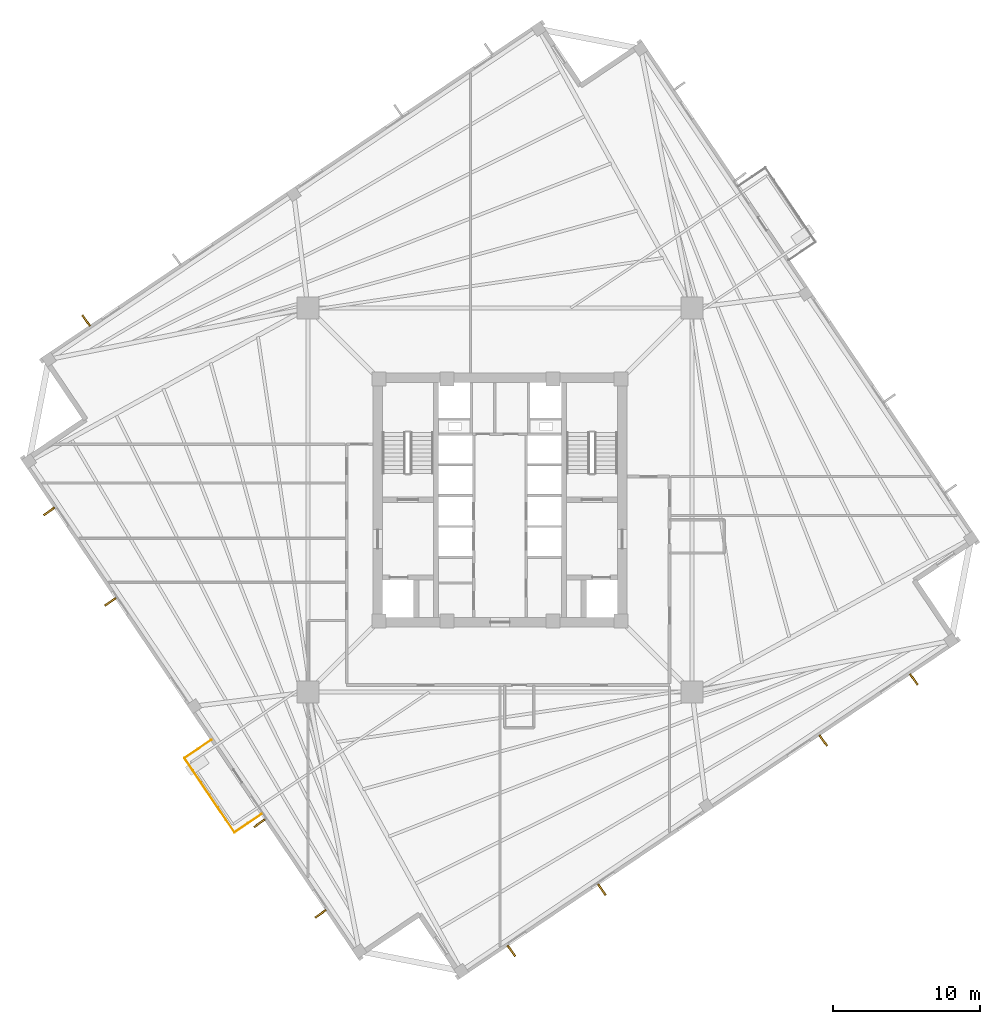
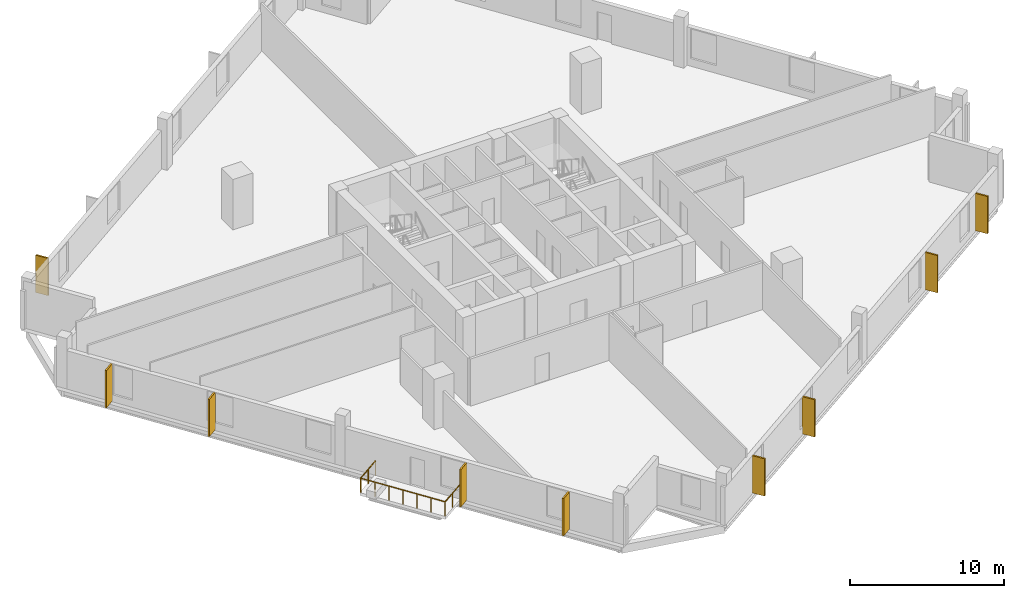
# One storey, part 7 of 9: 9 coverings, 3 railings.
"""IFC4 building model written with IfcOpenShell, lengths in metres."""

from ifc_helpers import new_model, si_unit, direction, frame, origin, origin_2d, place, context, subcontext, project, spatial, rectangle, circle, extrude, source, transform, mapped, material, layer, layer_set, type_object, element, save


model = new_model("IFC4")

# Units and contexts
model_context = context("Model", 3, precision=1e-05, world=origin(), true_north=direction((0.0, 1.0)))
body_context = subcontext(model_context, "Body", "Model", "MODEL_VIEW")
ifc_project = project(units=[si_unit("LENGTHUNIT", "METRE"), si_unit("AREAUNIT", "SQUARE_METRE"), si_unit("VOLUMEUNIT", "CUBIC_METRE"), si_unit("PLANEANGLEUNIT", "RADIAN"), si_unit("MASSUNIT", "GRAM", prefix="KILO"), si_unit("THERMODYNAMICTEMPERATUREUNIT", "KELVIN")], contexts=[model_context])

# Site, building, storey
site_placement = place(None, origin())
site = spatial("IfcSite", under=ifc_project, at=site_placement, CompositionType="ELEMENT")
building_placement = place(site_placement, origin())
building = spatial("IfcBuilding", under=site, at=building_placement, Name="Kosmvard Interchange Tower", CompositionType="ELEMENT")
storey_placement = place(building_placement, frame((0.0, 0.0, 180.39990234375)))
storey = spatial("IfcBuildingStorey", under=building, at=storey_placement, Name="L43", CompositionType="ELEMENT", Elevation=180.39990234375)

# Coverings
ifc_material_1 = material(Name="Architectural anodised aluminium", Category="aluminium")
ifc_layer = layer(ifc_material_1, 0.1201171875, Name="Architectural anodised aluminium")
ifc_layer_set = layer_set([ifc_layer], Name="Architectural anodised aluminium")
covering_type = type_object("IfcCoveringType", Name="Rotating Vertical Sun-Breaker Fin 900x120 Aluminium", PredefinedType="CLADDING", material=ifc_layer_set)
shared_shape_1 = source(origin(), body_context, "Body", "SweptSolid", [
    extrude(rectangle(XDim=0.89990234375, YDim=0.1201171875, at=origin_2d()), origin(), (0.0, 0.0, 1.0), 2.9599609375),
])
for number, where, z_axis, x_axis, name in (
    (1, (0.774169921875, -30.718994140625, 0.0400390625), (0.0, 0.0, 1.0), (0.575433555394, -0.817848533243, 0.0), "L43 Rotating Vertical Sun-Breaker Fin 01"),
    (2, (6.943115234375, -26.557861328125, 0.0400390625), (0.0, 0.0, 1.0), (0.575433555394, -0.817848533243, 0.0), "L43 Rotating Vertical Sun-Breaker Fin 02"),
    (3, (22.02294921875, -16.38623046875, 0.0400390625), (0.0, 0.0, 1.0), (0.575433555394, -0.817848533243, 0.0), "L43 Rotating Vertical Sun-Breaker Fin 03"),
    (4, (28.192138671875, -12.225341796875, 0.0400390625), (0.0, 0.0, 1.0), (0.575433555394, -0.817848533243, 0.0), "L43 Rotating Vertical Sun-Breaker Fin 04"),
    (5, (-28.192138671875, 12.225341796875, 0.0400390625), (0.0, 0.0, 1.0), (-0.575433555394, 0.817848533243, 0.0), "L43 Rotating Vertical Sun-Breaker Fin 12"),
    (6, (-30.718994140625, -0.774169921875, 0.0400390625), (0.0, 0.0, 1.0), (-0.817848533243, -0.575433555394, 0.0), "L43 Rotating Vertical Sun-Breaker Fin 13"),
    (7, (-26.557861328125, -6.943115234375, 0.0400390625), (0.0, 0.0, 1.0), (-0.817848533243, -0.575433555394, 0.0), "L43 Rotating Vertical Sun-Breaker Fin 14"),
    (8, (-16.38623046875, -22.02294921875, 0.0400390625), (0.0, 0.0, 1.0), (-0.817848533243, -0.575433555394, 0.0), "L43 Rotating Vertical Sun-Breaker Fin 15"),
    (9, (-12.225341796875, -28.192138671875, 0.0400390625), (0.0, 0.0, 1.0), (-0.817848533243, -0.575433555394, 0.0), "L43 Rotating Vertical Sun-Breaker Fin 16"),
):
    element("IfcCovering", number, at=place(storey_placement, frame(where, z_axis=z_axis, x_axis=x_axis)), inside=storey, type_object=covering_type, Name=name, PredefinedType="CLADDING", context=body_context, shape_type="MappedRepresentation", body=[
        mapped(shared_shape_1, transform((0.0, 0.0, 0.0), scale=1.0)),
    ])

# Railings
ifc_material_2 = material(Name="Steel S355", Category="steel")
railing_type = type_object("IfcRailingType", Name="Observation & Balcony Glass-Infill Balustrade 1150", PredefinedType="BALUSTRADE", material=ifc_material_2)
shared_shape_2 = source(origin(), body_context, "Body", "SweptSolid", [
    extrude(circle(Radius=0.02392578125, at=origin_2d()), frame((0.0, 0.0, 1.1259765625), z_axis=(0.829050594418, 0.559173597279, 0.0), x_axis=(-0.559173597279, 0.829050594418, 0.0)), (0.0, 0.0, 1.0), 2.2001953125),
    extrude(circle(Radius=0.02099609375, at=origin_2d()), origin(), (0.0, 0.0, 1.0), 1.101806640625),
    extrude(circle(Radius=0.02099609375, at=origin_2d()), frame((0.912109375, 0.615234375, 0.0)), (0.0, 0.0, 1.0), 1.101806640625),
    extrude(circle(Radius=0.02099609375, at=origin_2d()), frame((1.823974609375, 1.230224609375, 0.0)), (0.0, 0.0, 1.0), 1.101806640625),
])
railing_1_placement = place(storey_placement, frame((-18.0859375, -22.6328125, 0.0)))
element("IfcRailing", 10, at=railing_1_placement, inside=storey, type_object=railing_type, Name="L43 Outdoor Terrace Guard BAL-L43-W-C", PredefinedType="BALUSTRADE", context=body_context, shape_type="MappedRepresentation", body=[
    mapped(shared_shape_2, transform((0.0, 0.0, 0.0), scale=1.0)),
])
shared_shape_3 = source(origin(), body_context, "Body", "SweptSolid", [
    extrude(circle(Radius=0.02392578125, at=origin_2d()), frame((0.0, 0.0, 1.1259765625), z_axis=(-0.829050594418, -0.559173597279, 0.0), x_axis=(0.559173597279, -0.829050594418, 0.0)), (0.0, 0.0, 1.0), 2.2001953125),
    extrude(circle(Radius=0.02099609375, at=origin_2d()), origin(), (0.0, 0.0, 1.0), 1.101806640625),
    extrude(circle(Radius=0.02099609375, at=origin_2d()), frame((-0.912109375, -0.615234375, 0.0)), (0.0, 0.0, 1.0), 1.101806640625),
    extrude(circle(Radius=0.02099609375, at=origin_2d()), frame((-1.823974609375, -1.230224609375, 0.0)), (0.0, 0.0, 1.0), 1.101806640625),
])
railing_2_placement = place(storey_placement, frame((-19.673095703125, -16.345458984375, 0.0)))
element("IfcRailing", 11, at=railing_2_placement, inside=storey, type_object=railing_type, Name="L43 Outdoor Terrace Guard BAL-L43-W-A", PredefinedType="BALUSTRADE", context=body_context, shape_type="MappedRepresentation", body=[
    mapped(shared_shape_3, transform((0.0, 0.0, 0.0), scale=1.0)),
])
shared_shape_4 = source(origin(), body_context, "Body", "SweptSolid", [
    extrude(circle(Radius=0.02392578125, at=origin_2d()), frame((0.0, 0.0, 1.1259765625), z_axis=(0.55919924627, -0.829033294248, 0.0), x_axis=(0.829033294248, 0.55919924627, 0.0)), (0.0, 0.0, 1.0), 6.10009765625),
    extrude(circle(Radius=0.02099609375, at=origin_2d()), origin(), (0.0, 0.0, 1.0), 1.101806640625),
    extrude(circle(Radius=0.02099609375, at=origin_2d()), frame((0.568603515625, -0.8427734375, 0.0)), (0.0, 0.0, 1.0), 1.101806640625),
    extrude(circle(Radius=0.02099609375, at=origin_2d()), frame((1.136962890625, -1.685791015625, 0.0)), (0.0, 0.0, 1.0), 1.101806640625),
    extrude(circle(Radius=0.02099609375, at=origin_2d()), frame((1.70556640625, -2.528564453125, 0.0)), (0.0, 0.0, 1.0), 1.101806640625),
    extrude(circle(Radius=0.02099609375, at=origin_2d()), frame((2.274169921875, -3.371337890625, 0.0)), (0.0, 0.0, 1.0), 1.101806640625),
    extrude(circle(Radius=0.02099609375, at=origin_2d()), frame((2.842529296875, -4.21435546875, 0.0)), (0.0, 0.0, 1.0), 1.101806640625),
    extrude(circle(Radius=0.02099609375, at=origin_2d()), frame((3.4111328125, -5.05712890625, 0.0)), (0.0, 0.0, 1.0), 1.101806640625),
])
railing_3_placement = place(storey_placement, frame((-21.4970703125, -17.57568359375, 0.0)))
element("IfcRailing", 12, at=railing_3_placement, inside=storey, type_object=railing_type, Name="L43 Outdoor Terrace Guard BAL-L43-W-B", PredefinedType="BALUSTRADE", context=body_context, shape_type="MappedRepresentation", body=[
    mapped(shared_shape_4, transform((0.0, 0.0, 0.0), scale=1.0)),
])

save(model, "model.ifc")
